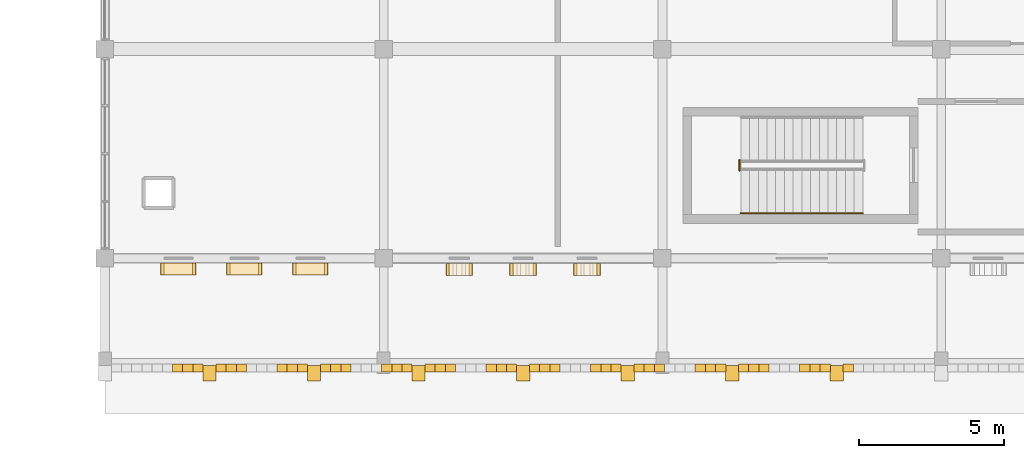
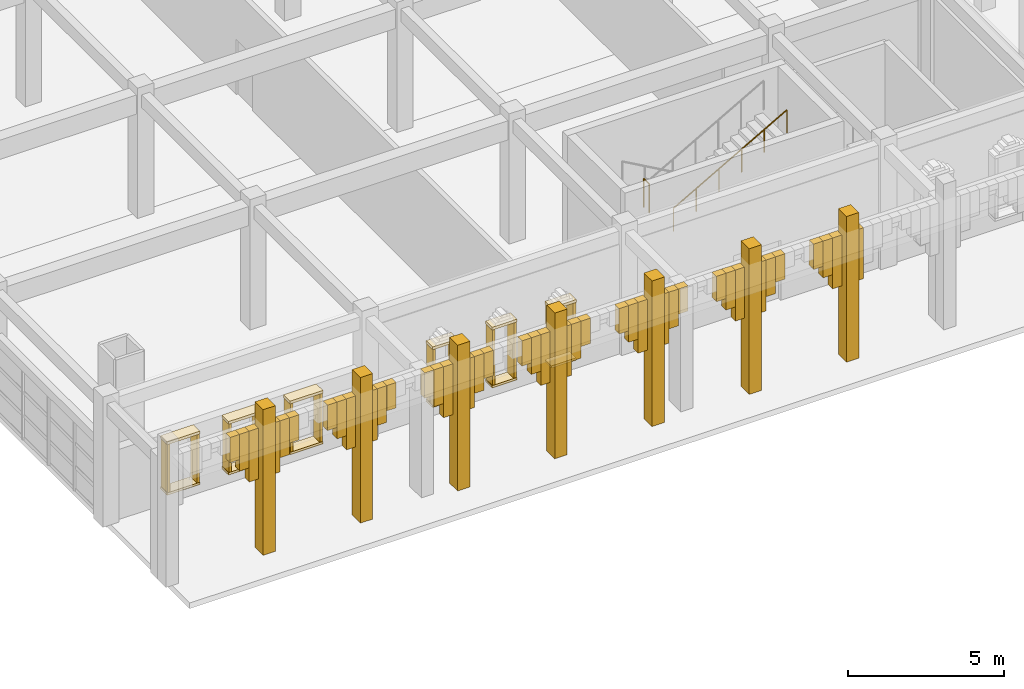
# One storey, part 58 of 72: 71 coverings, 2 railings.
"""IFC4 building model written with IfcOpenShell, lengths in metres."""

from ifc_helpers import new_model, si_unit, direction, frame, origin, origin_2d, place, context, subcontext, project, spatial, rectangle, circle, extrude, material, layer, layer_set, type_object, element, save


model = new_model("IFC4")

# Units and contexts
model_context = context("Model", 3, precision=1e-05, world=origin(), true_north=direction((0.0, 1.0)))
body_context = subcontext(model_context, "Body", "Model", "MODEL_VIEW")
ifc_project = project(units=[si_unit("LENGTHUNIT", "METRE"), si_unit("AREAUNIT", "SQUARE_METRE"), si_unit("VOLUMEUNIT", "CUBIC_METRE"), si_unit("PLANEANGLEUNIT", "RADIAN"), si_unit("MASSUNIT", "GRAM", prefix="KILO")], contexts=[model_context])

# Site, building, storey
site_placement = place(None, origin())
site = spatial("IfcSite", under=ifc_project, at=site_placement, CompositionType="ELEMENT")
building_placement = place(site_placement, origin())
building = spatial("IfcBuilding", under=site, at=building_placement, Name="Nzembalo Square Collegiate School", CompositionType="ELEMENT")
storey_placement = place(building_placement, origin())
storey = spatial("IfcBuildingStorey", under=building, at=storey_placement, Name="L00", CompositionType="ELEMENT", Elevation=0.0)

# Coverings
ifc_material_1 = material(Name="Precast concrete C40/50 arch voussoir", Category="concrete")
ifc_layer_1 = layer(ifc_material_1, 0.1201171875, Name="Precast concrete C40/50 arch voussoir")
ifc_layer_set_1 = layer_set([ifc_layer_1], Name="Precast concrete C40/50 arch voussoir")
covering_type_1 = type_object("IfcCoveringType", Name="AR01", PredefinedType="CLADDING", material=ifc_layer_set_1)
covering_1_placement = place(storey_placement, frame((133.30224609375, 4.6201171875, 3.810546875), z_axis=(0.0, 0.0, 1.0), x_axis=(1.0, 0.0, 0.0)))
element("IfcCovering", 1, at=covering_1_placement, inside=storey, type_object=covering_type_1, Name="Gothic pointed arch voussoir AR01-067-6", PredefinedType="CLADDING", context=body_context, shape_type="SweptSolid", body=[
    extrude(rectangle(XDim=0.35107421875, YDim=0.280029296875, at=origin_2d()), origin(), (0.0, 0.0, 1.0), 0.989501953125),
])
covering_2_placement = place(storey_placement, frame((133.6533203125, 4.6201171875, 3.361328125), z_axis=(0.0, 0.0, 1.0), x_axis=(1.0, 0.0, 0.0)))
element("IfcCovering", 2, at=covering_2_placement, inside=storey, type_object=covering_type_1, Name="Gothic pointed arch voussoir AR01-067-7", PredefinedType="CLADDING", context=body_context, shape_type="SweptSolid", body=[
    extrude(rectangle(XDim=0.35107421875, YDim=0.280029296875, at=origin_2d()), origin(), (0.0, 0.0, 1.0), 1.438720703125),
])
covering_3_placement = place(storey_placement, frame((134.00439453125, 4.6201171875, 2.80859375), z_axis=(0.0, 0.0, 1.0), x_axis=(1.0, 0.0, 0.0)))
element("IfcCovering", 3, at=covering_3_placement, inside=storey, type_object=covering_type_1, Name="Gothic pointed arch voussoir AR01-067-8", PredefinedType="CLADDING", context=body_context, shape_type="SweptSolid", body=[
    extrude(rectangle(XDim=0.35107421875, YDim=0.280029296875, at=origin_2d()), origin(), (0.0, 0.0, 1.0), 1.991455078125),
])
covering_4_placement = place(storey_placement, frame((134.795654296875, 4.6201171875, 2.808349609375), z_axis=(0.0, 0.0, 1.0), x_axis=(1.0, 0.0, 0.0)))
element("IfcCovering", 4, at=covering_4_placement, inside=storey, type_object=covering_type_1, Name="Gothic pointed arch voussoir AR01-068-0", PredefinedType="CLADDING", context=body_context, shape_type="SweptSolid", body=[
    extrude(rectangle(XDim=0.35107421875, YDim=0.280029296875, at=origin_2d()), origin(), (0.0, 0.0, 1.0), 1.99169921875),
])
covering_5_placement = place(storey_placement, frame((135.146728515625, 4.6201171875, 3.361083984375), z_axis=(0.0, 0.0, 1.0), x_axis=(1.0, 0.0, 0.0)))
element("IfcCovering", 5, at=covering_5_placement, inside=storey, type_object=covering_type_1, Name="Gothic pointed arch voussoir AR01-068-1", PredefinedType="CLADDING", context=body_context, shape_type="SweptSolid", body=[
    extrude(rectangle(XDim=0.35107421875, YDim=0.280029296875, at=origin_2d()), origin(), (0.0, 0.0, 1.0), 1.43896484375),
])
for number, where, z_axis, x_axis, name in (
    (6, (135.497802734375, 4.6201171875, 3.810546875), (0.0, 0.0, 1.0), (1.0, 0.0, 0.0), "Gothic pointed arch voussoir AR01-068-2"),
    (7, (136.902099609375, 4.6201171875, 3.810546875), (0.0, 0.0, 1.0), (1.0, 0.0, 0.0), "Gothic pointed arch voussoir AR01-068-6"),
):
    element("IfcCovering", number, at=place(storey_placement, frame(where, z_axis=z_axis, x_axis=x_axis)), inside=storey, type_object=covering_type_1, Name=name, PredefinedType="CLADDING", context=body_context, shape_type="SweptSolid", body=[
        extrude(rectangle(XDim=0.35107421875, YDim=0.280029296875, at=origin_2d()), origin(), (0.0, 0.0, 1.0), 0.989501953125),
    ])
covering_6_placement = place(storey_placement, frame((137.25341796875, 4.6201171875, 3.361328125), z_axis=(0.0, 0.0, 1.0), x_axis=(1.0, 0.0, 0.0)))
element("IfcCovering", 8, at=covering_6_placement, inside=storey, type_object=covering_type_1, Name="Gothic pointed arch voussoir AR01-068-7", PredefinedType="CLADDING", context=body_context, shape_type="SweptSolid", body=[
    extrude(rectangle(XDim=0.35107421875, YDim=0.280029296875, at=origin_2d()), origin(), (0.0, 0.0, 1.0), 1.438720703125),
])
covering_7_placement = place(storey_placement, frame((137.6044921875, 4.6201171875, 2.80859375), z_axis=(0.0, 0.0, 1.0), x_axis=(1.0, 0.0, 0.0)))
element("IfcCovering", 9, at=covering_7_placement, inside=storey, type_object=covering_type_1, Name="Gothic pointed arch voussoir AR01-068-8", PredefinedType="CLADDING", context=body_context, shape_type="SweptSolid", body=[
    extrude(rectangle(XDim=0.35107421875, YDim=0.280029296875, at=origin_2d()), origin(), (0.0, 0.0, 1.0), 1.991455078125),
])
covering_8_placement = place(storey_placement, frame((134.39990234375, 4.43994140625, 0.0), z_axis=(0.0, 0.0, 1.0), x_axis=(1.0, 0.0, 0.0)))
element("IfcCovering", 10, at=covering_8_placement, inside=storey, type_object=covering_type_1, Name="Gothic arcade buttress pinnacle AR01-B068", PredefinedType="CLADDING", context=body_context, shape_type="SweptSolid", body=[
    extrude(rectangle(XDim=0.4599609375, YDim=0.52001953125, at=origin_2d()), origin(), (0.0, 0.0, 1.0), 5.699951171875),
])
covering_9_placement = place(storey_placement, frame((138.3955078125, 4.6201171875, 2.808349609375), z_axis=(0.0, 0.0, 1.0), x_axis=(1.0, 0.0, 0.0)))
element("IfcCovering", 11, at=covering_9_placement, inside=storey, type_object=covering_type_1, Name="Gothic pointed arch voussoir AR01-069-0", PredefinedType="CLADDING", context=body_context, shape_type="SweptSolid", body=[
    extrude(rectangle(XDim=0.35107421875, YDim=0.280029296875, at=origin_2d()), origin(), (0.0, 0.0, 1.0), 1.99169921875),
])
covering_10_placement = place(storey_placement, frame((138.74658203125, 4.6201171875, 3.361083984375), z_axis=(0.0, 0.0, 1.0), x_axis=(1.0, 0.0, 0.0)))
element("IfcCovering", 12, at=covering_10_placement, inside=storey, type_object=covering_type_1, Name="Gothic pointed arch voussoir AR01-069-1", PredefinedType="CLADDING", context=body_context, shape_type="SweptSolid", body=[
    extrude(rectangle(XDim=0.35107421875, YDim=0.280029296875, at=origin_2d()), origin(), (0.0, 0.0, 1.0), 1.43896484375),
])
for number, where, z_axis, x_axis, name in (
    (13, (139.097900390625, 4.6201171875, 3.810546875), (0.0, 0.0, 1.0), (1.0, 0.0, 0.0), "Gothic pointed arch voussoir AR01-069-2"),
    (14, (140.502197265625, 4.6201171875, 3.810546875), (0.0, 0.0, 1.0), (1.0, 0.0, 0.0), "Gothic pointed arch voussoir AR01-069-6"),
):
    element("IfcCovering", number, at=place(storey_placement, frame(where, z_axis=z_axis, x_axis=x_axis)), inside=storey, type_object=covering_type_1, Name=name, PredefinedType="CLADDING", context=body_context, shape_type="SweptSolid", body=[
        extrude(rectangle(XDim=0.35107421875, YDim=0.280029296875, at=origin_2d()), origin(), (0.0, 0.0, 1.0), 0.989501953125),
    ])
covering_11_placement = place(storey_placement, frame((140.853271484375, 4.6201171875, 3.361328125), z_axis=(0.0, 0.0, 1.0), x_axis=(1.0, 0.0, 0.0)))
element("IfcCovering", 15, at=covering_11_placement, inside=storey, type_object=covering_type_1, Name="Gothic pointed arch voussoir AR01-069-7", PredefinedType="CLADDING", context=body_context, shape_type="SweptSolid", body=[
    extrude(rectangle(XDim=0.35107421875, YDim=0.280029296875, at=origin_2d()), origin(), (0.0, 0.0, 1.0), 1.438720703125),
])
covering_12_placement = place(storey_placement, frame((141.204345703125, 4.6201171875, 2.80859375), z_axis=(0.0, 0.0, 1.0), x_axis=(1.0, 0.0, 0.0)))
element("IfcCovering", 16, at=covering_12_placement, inside=storey, type_object=covering_type_1, Name="Gothic pointed arch voussoir AR01-069-8", PredefinedType="CLADDING", context=body_context, shape_type="SweptSolid", body=[
    extrude(rectangle(XDim=0.35107421875, YDim=0.280029296875, at=origin_2d()), origin(), (0.0, 0.0, 1.0), 1.991455078125),
])
covering_13_placement = place(storey_placement, frame((138.0, 4.43994140625, 0.0), z_axis=(0.0, 0.0, 1.0), x_axis=(1.0, 0.0, 0.0)))
element("IfcCovering", 17, at=covering_13_placement, inside=storey, type_object=covering_type_1, Name="Gothic arcade buttress pinnacle AR01-B069", PredefinedType="CLADDING", context=body_context, shape_type="SweptSolid", body=[
    extrude(rectangle(XDim=0.4599609375, YDim=0.52001953125, at=origin_2d()), origin(), (0.0, 0.0, 1.0), 5.699951171875),
])
covering_14_placement = place(storey_placement, frame((141.99560546875, 4.6201171875, 2.808349609375), z_axis=(0.0, 0.0, 1.0), x_axis=(1.0, 0.0, 0.0)))
element("IfcCovering", 18, at=covering_14_placement, inside=storey, type_object=covering_type_1, Name="Gothic pointed arch voussoir AR01-070-0", PredefinedType="CLADDING", context=body_context, shape_type="SweptSolid", body=[
    extrude(rectangle(XDim=0.35107421875, YDim=0.280029296875, at=origin_2d()), origin(), (0.0, 0.0, 1.0), 1.99169921875),
])
covering_15_placement = place(storey_placement, frame((142.3466796875, 4.6201171875, 3.361083984375), z_axis=(0.0, 0.0, 1.0), x_axis=(1.0, 0.0, 0.0)))
element("IfcCovering", 19, at=covering_15_placement, inside=storey, type_object=covering_type_1, Name="Gothic pointed arch voussoir AR01-070-1", PredefinedType="CLADDING", context=body_context, shape_type="SweptSolid", body=[
    extrude(rectangle(XDim=0.35107421875, YDim=0.280029296875, at=origin_2d()), origin(), (0.0, 0.0, 1.0), 1.43896484375),
])
for number, where, z_axis, x_axis, name in (
    (20, (142.69775390625, 4.6201171875, 3.810546875), (0.0, 0.0, 1.0), (1.0, 0.0, 0.0), "Gothic pointed arch voussoir AR01-070-2"),
    (21, (144.10205078125, 4.6201171875, 3.810546875), (0.0, 0.0, 1.0), (1.0, 0.0, 0.0), "Gothic pointed arch voussoir AR01-070-6"),
):
    element("IfcCovering", number, at=place(storey_placement, frame(where, z_axis=z_axis, x_axis=x_axis)), inside=storey, type_object=covering_type_1, Name=name, PredefinedType="CLADDING", context=body_context, shape_type="SweptSolid", body=[
        extrude(rectangle(XDim=0.35107421875, YDim=0.280029296875, at=origin_2d()), origin(), (0.0, 0.0, 1.0), 0.989501953125),
    ])
covering_16_placement = place(storey_placement, frame((144.453125, 4.6201171875, 3.361328125), z_axis=(0.0, 0.0, 1.0), x_axis=(1.0, 0.0, 0.0)))
element("IfcCovering", 22, at=covering_16_placement, inside=storey, type_object=covering_type_1, Name="Gothic pointed arch voussoir AR01-070-7", PredefinedType="CLADDING", context=body_context, shape_type="SweptSolid", body=[
    extrude(rectangle(XDim=0.35107421875, YDim=0.280029296875, at=origin_2d()), origin(), (0.0, 0.0, 1.0), 1.438720703125),
])
covering_17_placement = place(storey_placement, frame((144.80419921875, 4.6201171875, 2.80859375), z_axis=(0.0, 0.0, 1.0), x_axis=(1.0, 0.0, 0.0)))
element("IfcCovering", 23, at=covering_17_placement, inside=storey, type_object=covering_type_1, Name="Gothic pointed arch voussoir AR01-070-8", PredefinedType="CLADDING", context=body_context, shape_type="SweptSolid", body=[
    extrude(rectangle(XDim=0.35107421875, YDim=0.280029296875, at=origin_2d()), origin(), (0.0, 0.0, 1.0), 1.991455078125),
])
covering_18_placement = place(storey_placement, frame((141.60009765625, 4.43994140625, 0.0), z_axis=(0.0, 0.0, 1.0), x_axis=(1.0, 0.0, 0.0)))
element("IfcCovering", 24, at=covering_18_placement, inside=storey, type_object=covering_type_1, Name="Gothic arcade buttress pinnacle AR01-B070", PredefinedType="CLADDING", context=body_context, shape_type="SweptSolid", body=[
    extrude(rectangle(XDim=0.4599609375, YDim=0.52001953125, at=origin_2d()), origin(), (0.0, 0.0, 1.0), 5.699951171875),
])
covering_19_placement = place(storey_placement, frame((145.595703125, 4.6201171875, 2.808349609375), z_axis=(0.0, 0.0, 1.0), x_axis=(1.0, 0.0, 0.0)))
element("IfcCovering", 25, at=covering_19_placement, inside=storey, type_object=covering_type_1, Name="Gothic pointed arch voussoir AR01-071-0", PredefinedType="CLADDING", context=body_context, shape_type="SweptSolid", body=[
    extrude(rectangle(XDim=0.35107421875, YDim=0.280029296875, at=origin_2d()), origin(), (0.0, 0.0, 1.0), 1.99169921875),
])
covering_20_placement = place(storey_placement, frame((145.94677734375, 4.6201171875, 3.361083984375), z_axis=(0.0, 0.0, 1.0), x_axis=(1.0, 0.0, 0.0)))
element("IfcCovering", 26, at=covering_20_placement, inside=storey, type_object=covering_type_1, Name="Gothic pointed arch voussoir AR01-071-1", PredefinedType="CLADDING", context=body_context, shape_type="SweptSolid", body=[
    extrude(rectangle(XDim=0.35107421875, YDim=0.280029296875, at=origin_2d()), origin(), (0.0, 0.0, 1.0), 1.43896484375),
])
for number, where, z_axis, x_axis, name in (
    (27, (146.2978515625, 4.6201171875, 3.810546875), (0.0, 0.0, 1.0), (1.0, 0.0, 0.0), "Gothic pointed arch voussoir AR01-071-2"),
    (28, (147.7021484375, 4.6201171875, 3.810546875), (0.0, 0.0, 1.0), (1.0, 0.0, 0.0), "Gothic pointed arch voussoir AR01-071-6"),
):
    element("IfcCovering", number, at=place(storey_placement, frame(where, z_axis=z_axis, x_axis=x_axis)), inside=storey, type_object=covering_type_1, Name=name, PredefinedType="CLADDING", context=body_context, shape_type="SweptSolid", body=[
        extrude(rectangle(XDim=0.35107421875, YDim=0.280029296875, at=origin_2d()), origin(), (0.0, 0.0, 1.0), 0.989501953125),
    ])
covering_21_placement = place(storey_placement, frame((148.05322265625, 4.6201171875, 3.361328125), z_axis=(0.0, 0.0, 1.0), x_axis=(1.0, 0.0, 0.0)))
element("IfcCovering", 29, at=covering_21_placement, inside=storey, type_object=covering_type_1, Name="Gothic pointed arch voussoir AR01-071-7", PredefinedType="CLADDING", context=body_context, shape_type="SweptSolid", body=[
    extrude(rectangle(XDim=0.35107421875, YDim=0.280029296875, at=origin_2d()), origin(), (0.0, 0.0, 1.0), 1.438720703125),
])
covering_22_placement = place(storey_placement, frame((148.404296875, 4.6201171875, 2.80859375), z_axis=(0.0, 0.0, 1.0), x_axis=(1.0, 0.0, 0.0)))
element("IfcCovering", 30, at=covering_22_placement, inside=storey, type_object=covering_type_1, Name="Gothic pointed arch voussoir AR01-071-8", PredefinedType="CLADDING", context=body_context, shape_type="SweptSolid", body=[
    extrude(rectangle(XDim=0.35107421875, YDim=0.280029296875, at=origin_2d()), origin(), (0.0, 0.0, 1.0), 1.991455078125),
])
covering_23_placement = place(storey_placement, frame((145.199951171875, 4.43994140625, 0.0), z_axis=(0.0, 0.0, 1.0), x_axis=(1.0, 0.0, 0.0)))
element("IfcCovering", 31, at=covering_23_placement, inside=storey, type_object=covering_type_1, Name="Gothic arcade buttress pinnacle AR01-B071", PredefinedType="CLADDING", context=body_context, shape_type="SweptSolid", body=[
    extrude(rectangle(XDim=0.4599609375, YDim=0.52001953125, at=origin_2d()), origin(), (0.0, 0.0, 1.0), 5.699951171875),
])
covering_24_placement = place(storey_placement, frame((149.195556640625, 4.6201171875, 2.808349609375), z_axis=(0.0, 0.0, 1.0), x_axis=(1.0, 0.0, 0.0)))
element("IfcCovering", 32, at=covering_24_placement, inside=storey, type_object=covering_type_1, Name="Gothic pointed arch voussoir AR01-072-0", PredefinedType="CLADDING", context=body_context, shape_type="SweptSolid", body=[
    extrude(rectangle(XDim=0.35107421875, YDim=0.280029296875, at=origin_2d()), origin(), (0.0, 0.0, 1.0), 1.99169921875),
])
covering_25_placement = place(storey_placement, frame((149.546630859375, 4.6201171875, 3.361083984375), z_axis=(0.0, 0.0, 1.0), x_axis=(1.0, 0.0, 0.0)))
element("IfcCovering", 33, at=covering_25_placement, inside=storey, type_object=covering_type_1, Name="Gothic pointed arch voussoir AR01-072-1", PredefinedType="CLADDING", context=body_context, shape_type="SweptSolid", body=[
    extrude(rectangle(XDim=0.35107421875, YDim=0.280029296875, at=origin_2d()), origin(), (0.0, 0.0, 1.0), 1.43896484375),
])
for number, where, z_axis, x_axis, name in (
    (34, (149.897705078125, 4.6201171875, 3.810546875), (0.0, 0.0, 1.0), (1.0, 0.0, 0.0), "Gothic pointed arch voussoir AR01-072-2"),
    (35, (151.302001953125, 4.6201171875, 3.810546875), (0.0, 0.0, 1.0), (1.0, 0.0, 0.0), "Gothic pointed arch voussoir AR01-072-6"),
):
    element("IfcCovering", number, at=place(storey_placement, frame(where, z_axis=z_axis, x_axis=x_axis)), inside=storey, type_object=covering_type_1, Name=name, PredefinedType="CLADDING", context=body_context, shape_type="SweptSolid", body=[
        extrude(rectangle(XDim=0.35107421875, YDim=0.280029296875, at=origin_2d()), origin(), (0.0, 0.0, 1.0), 0.989501953125),
    ])
covering_26_placement = place(storey_placement, frame((151.6533203125, 4.6201171875, 3.361328125), z_axis=(0.0, 0.0, 1.0), x_axis=(1.0, 0.0, 0.0)))
element("IfcCovering", 36, at=covering_26_placement, inside=storey, type_object=covering_type_1, Name="Gothic pointed arch voussoir AR01-072-7", PredefinedType="CLADDING", context=body_context, shape_type="SweptSolid", body=[
    extrude(rectangle(XDim=0.35107421875, YDim=0.280029296875, at=origin_2d()), origin(), (0.0, 0.0, 1.0), 1.438720703125),
])
covering_27_placement = place(storey_placement, frame((152.00439453125, 4.6201171875, 2.80859375), z_axis=(0.0, 0.0, 1.0), x_axis=(1.0, 0.0, 0.0)))
element("IfcCovering", 37, at=covering_27_placement, inside=storey, type_object=covering_type_1, Name="Gothic pointed arch voussoir AR01-072-8", PredefinedType="CLADDING", context=body_context, shape_type="SweptSolid", body=[
    extrude(rectangle(XDim=0.35107421875, YDim=0.280029296875, at=origin_2d()), origin(), (0.0, 0.0, 1.0), 1.991455078125),
])
covering_28_placement = place(storey_placement, frame((148.800048828125, 4.43994140625, 0.0), z_axis=(0.0, 0.0, 1.0), x_axis=(1.0, 0.0, 0.0)))
element("IfcCovering", 38, at=covering_28_placement, inside=storey, type_object=covering_type_1, Name="Gothic arcade buttress pinnacle AR01-B072", PredefinedType="CLADDING", context=body_context, shape_type="SweptSolid", body=[
    extrude(rectangle(XDim=0.4599609375, YDim=0.52001953125, at=origin_2d()), origin(), (0.0, 0.0, 1.0), 5.699951171875),
])
covering_29_placement = place(storey_placement, frame((152.79541015625, 4.6201171875, 2.808349609375), z_axis=(0.0, 0.0, 1.0), x_axis=(1.0, 0.0, 0.0)))
element("IfcCovering", 39, at=covering_29_placement, inside=storey, type_object=covering_type_1, Name="Gothic pointed arch voussoir AR01-073-0", PredefinedType="CLADDING", context=body_context, shape_type="SweptSolid", body=[
    extrude(rectangle(XDim=0.35107421875, YDim=0.280029296875, at=origin_2d()), origin(), (0.0, 0.0, 1.0), 1.99169921875),
])
covering_30_placement = place(storey_placement, frame((153.146484375, 4.6201171875, 3.361083984375), z_axis=(0.0, 0.0, 1.0), x_axis=(1.0, 0.0, 0.0)))
element("IfcCovering", 40, at=covering_30_placement, inside=storey, type_object=covering_type_1, Name="Gothic pointed arch voussoir AR01-073-1", PredefinedType="CLADDING", context=body_context, shape_type="SweptSolid", body=[
    extrude(rectangle(XDim=0.35107421875, YDim=0.280029296875, at=origin_2d()), origin(), (0.0, 0.0, 1.0), 1.43896484375),
])
for number, where, z_axis, x_axis, name in (
    (41, (153.497802734375, 4.6201171875, 3.810546875), (0.0, 0.0, 1.0), (1.0, 0.0, 0.0), "Gothic pointed arch voussoir AR01-073-2"),
    (42, (154.902099609375, 4.6201171875, 3.810546875), (0.0, 0.0, 1.0), (1.0, 0.0, 0.0), "Gothic pointed arch voussoir AR01-073-6"),
):
    element("IfcCovering", number, at=place(storey_placement, frame(where, z_axis=z_axis, x_axis=x_axis)), inside=storey, type_object=covering_type_1, Name=name, PredefinedType="CLADDING", context=body_context, shape_type="SweptSolid", body=[
        extrude(rectangle(XDim=0.35107421875, YDim=0.280029296875, at=origin_2d()), origin(), (0.0, 0.0, 1.0), 0.989501953125),
    ])
covering_31_placement = place(storey_placement, frame((155.253173828125, 4.6201171875, 3.361328125), z_axis=(0.0, 0.0, 1.0), x_axis=(1.0, 0.0, 0.0)))
element("IfcCovering", 43, at=covering_31_placement, inside=storey, type_object=covering_type_1, Name="Gothic pointed arch voussoir AR01-073-7", PredefinedType="CLADDING", context=body_context, shape_type="SweptSolid", body=[
    extrude(rectangle(XDim=0.35107421875, YDim=0.280029296875, at=origin_2d()), origin(), (0.0, 0.0, 1.0), 1.438720703125),
])
covering_32_placement = place(storey_placement, frame((155.604248046875, 4.6201171875, 2.80859375), z_axis=(0.0, 0.0, 1.0), x_axis=(1.0, 0.0, 0.0)))
element("IfcCovering", 44, at=covering_32_placement, inside=storey, type_object=covering_type_1, Name="Gothic pointed arch voussoir AR01-073-8", PredefinedType="CLADDING", context=body_context, shape_type="SweptSolid", body=[
    extrude(rectangle(XDim=0.35107421875, YDim=0.280029296875, at=origin_2d()), origin(), (0.0, 0.0, 1.0), 1.991455078125),
])
covering_33_placement = place(storey_placement, frame((152.39990234375, 4.43994140625, 0.0), z_axis=(0.0, 0.0, 1.0), x_axis=(1.0, 0.0, 0.0)))
element("IfcCovering", 45, at=covering_33_placement, inside=storey, type_object=covering_type_1, Name="Gothic arcade buttress pinnacle AR01-B073", PredefinedType="CLADDING", context=body_context, shape_type="SweptSolid", body=[
    extrude(rectangle(XDim=0.4599609375, YDim=0.52001953125, at=origin_2d()), origin(), (0.0, 0.0, 1.0), 5.699951171875),
])
covering_34_placement = place(storey_placement, frame((156.3955078125, 4.6201171875, 2.808349609375), z_axis=(0.0, 0.0, 1.0), x_axis=(1.0, 0.0, 0.0)))
element("IfcCovering", 46, at=covering_34_placement, inside=storey, type_object=covering_type_1, Name="Gothic pointed arch voussoir AR01-074-0", PredefinedType="CLADDING", context=body_context, shape_type="SweptSolid", body=[
    extrude(rectangle(XDim=0.35107421875, YDim=0.280029296875, at=origin_2d()), origin(), (0.0, 0.0, 1.0), 1.99169921875),
])
covering_35_placement = place(storey_placement, frame((156.0, 4.43994140625, 0.0), z_axis=(0.0, 0.0, 1.0), x_axis=(1.0, 0.0, 0.0)))
element("IfcCovering", 47, at=covering_35_placement, inside=storey, type_object=covering_type_1, Name="Gothic arcade buttress pinnacle AR01-B074", PredefinedType="CLADDING", context=body_context, shape_type="SweptSolid", body=[
    extrude(rectangle(XDim=0.4599609375, YDim=0.52001953125, at=origin_2d()), origin(), (0.0, 0.0, 1.0), 5.699951171875),
])
ifc_material_2 = material(Name="Glazed celadon ceramic window frame")
ifc_layer_2 = layer(ifc_material_2, 0.419921875, Name="Glazed celadon ceramic window frame")
ifc_layer_set_2 = layer_set([ifc_layer_2], Name="Glazed celadon ceramic window frame")
covering_type_2 = type_object("IfcCoveringType", Name="WF01", PredefinedType="CLADDING", material=ifc_layer_set_2)
covering_36_placement = place(storey_placement, frame((133.325927734375, 8.02490234375, 2.634765625), z_axis=(0.0, 0.0, 1.0), x_axis=(1.0, 0.0, 0.0)))
element("IfcCovering", 48, at=covering_36_placement, inside=storey, type_object=covering_type_2, Name="Deep lancet window hood WF01-0041", PredefinedType="CLADDING", context=body_context, shape_type="SweptSolid", body=[
    extrude(rectangle(XDim=1.219970703125, YDim=0.419921875, at=origin_2d()), origin(), (0.0, 0.0, 1.0), 0.110107421875),
])
covering_37_placement = place(storey_placement, frame((133.325927734375, 8.02490234375, 0.65478515625), z_axis=(0.0, 0.0, 1.0), x_axis=(1.0, 0.0, 0.0)))
element("IfcCovering", 49, at=covering_37_placement, inside=storey, type_object=covering_type_2, Name="Deep lancet window sill WF01-0041", PredefinedType="CLADDING", context=body_context, shape_type="SweptSolid", body=[
    extrude(rectangle(XDim=1.219970703125, YDim=0.419921875, at=origin_2d()), origin(), (0.0, 0.0, 1.0), 0.090087890625),
])
for number, where, z_axis, x_axis, name in (
    (50, (132.781005859375, 8.02490234375, 0.75), (0.0, 0.0, 1.0), (1.0, 0.0, 0.0), "Deep lancet window jamb WF01-0041L"),
    (51, (133.87109375, 8.02490234375, 0.75), (0.0, 0.0, 1.0), (1.0, 0.0, 0.0), "Deep lancet window jamb WF01-0041R"),
):
    element("IfcCovering", number, at=place(storey_placement, frame(where, z_axis=z_axis, x_axis=x_axis)), inside=storey, type_object=covering_type_2, Name=name, PredefinedType="CLADDING", context=body_context, shape_type="SweptSolid", body=[
        extrude(rectangle(XDim=0.10009765625, YDim=0.419921875, at=origin_2d()), origin(), (0.0, 0.0, 1.0), 1.8798828125),
    ])
covering_38_placement = place(storey_placement, frame((135.60009765625, 8.02490234375, 2.634765625), z_axis=(0.0, 0.0, 1.0), x_axis=(1.0, 0.0, 0.0)))
element("IfcCovering", 52, at=covering_38_placement, inside=storey, type_object=covering_type_2, Name="Deep lancet window hood WF01-0042", PredefinedType="CLADDING", context=body_context, shape_type="SweptSolid", body=[
    extrude(rectangle(XDim=1.219970703125, YDim=0.419921875, at=origin_2d()), origin(), (0.0, 0.0, 1.0), 0.110107421875),
])
covering_39_placement = place(storey_placement, frame((135.60009765625, 8.02490234375, 0.65478515625), z_axis=(0.0, 0.0, 1.0), x_axis=(1.0, 0.0, 0.0)))
element("IfcCovering", 53, at=covering_39_placement, inside=storey, type_object=covering_type_2, Name="Deep lancet window sill WF01-0042", PredefinedType="CLADDING", context=body_context, shape_type="SweptSolid", body=[
    extrude(rectangle(XDim=1.219970703125, YDim=0.419921875, at=origin_2d()), origin(), (0.0, 0.0, 1.0), 0.090087890625),
])
for number, where, z_axis, x_axis, name in (
    (54, (135.054931640625, 8.02490234375, 0.75), (0.0, 0.0, 1.0), (1.0, 0.0, 0.0), "Deep lancet window jamb WF01-0042L"),
    (55, (136.14501953125, 8.02490234375, 0.75), (0.0, 0.0, 1.0), (1.0, 0.0, 0.0), "Deep lancet window jamb WF01-0042R"),
):
    element("IfcCovering", number, at=place(storey_placement, frame(where, z_axis=z_axis, x_axis=x_axis)), inside=storey, type_object=covering_type_2, Name=name, PredefinedType="CLADDING", context=body_context, shape_type="SweptSolid", body=[
        extrude(rectangle(XDim=0.10009765625, YDim=0.419921875, at=origin_2d()), origin(), (0.0, 0.0, 1.0), 1.8798828125),
    ])
covering_40_placement = place(storey_placement, frame((137.8740234375, 8.02490234375, 2.634765625), z_axis=(0.0, 0.0, 1.0), x_axis=(1.0, 0.0, 0.0)))
element("IfcCovering", 56, at=covering_40_placement, inside=storey, type_object=covering_type_2, Name="Deep lancet window hood WF01-0043", PredefinedType="CLADDING", context=body_context, shape_type="SweptSolid", body=[
    extrude(rectangle(XDim=1.219970703125, YDim=0.419921875, at=origin_2d()), origin(), (0.0, 0.0, 1.0), 0.110107421875),
])
covering_41_placement = place(storey_placement, frame((137.8740234375, 8.02490234375, 0.65478515625), z_axis=(0.0, 0.0, 1.0), x_axis=(1.0, 0.0, 0.0)))
element("IfcCovering", 57, at=covering_41_placement, inside=storey, type_object=covering_type_2, Name="Deep lancet window sill WF01-0043", PredefinedType="CLADDING", context=body_context, shape_type="SweptSolid", body=[
    extrude(rectangle(XDim=1.219970703125, YDim=0.419921875, at=origin_2d()), origin(), (0.0, 0.0, 1.0), 0.090087890625),
])
for number, where, z_axis, x_axis, name in (
    (58, (137.3291015625, 8.02490234375, 0.75), (0.0, 0.0, 1.0), (1.0, 0.0, 0.0), "Deep lancet window jamb WF01-0043L"),
    (59, (138.4189453125, 8.02490234375, 0.75), (0.0, 0.0, 1.0), (1.0, 0.0, 0.0), "Deep lancet window jamb WF01-0043R"),
):
    element("IfcCovering", number, at=place(storey_placement, frame(where, z_axis=z_axis, x_axis=x_axis)), inside=storey, type_object=covering_type_2, Name=name, PredefinedType="CLADDING", context=body_context, shape_type="SweptSolid", body=[
        extrude(rectangle(XDim=0.10009765625, YDim=0.419921875, at=origin_2d()), origin(), (0.0, 0.0, 1.0), 1.8798828125),
    ])
covering_42_placement = place(storey_placement, frame((143.0009765625, 8.014892578125, 2.9150390625), z_axis=(0.0, 0.0, 1.0), x_axis=(1.0, 0.0, 0.0)))
element("IfcCovering", 60, at=covering_42_placement, inside=storey, type_object=covering_type_2, Name="Deep lancet window hood WF01-0058", PredefinedType="CLADDING", context=body_context, shape_type="SweptSolid", body=[
    extrude(rectangle(XDim=0.919921875, YDim=0.419921875, at=origin_2d()), origin(), (0.0, 0.0, 1.0), 0.110107421875),
])
covering_43_placement = place(storey_placement, frame((143.0009765625, 8.014892578125, 0.65478515625), z_axis=(0.0, 0.0, 1.0), x_axis=(1.0, 0.0, 0.0)))
element("IfcCovering", 61, at=covering_43_placement, inside=storey, type_object=covering_type_2, Name="Deep lancet window sill WF01-0058", PredefinedType="CLADDING", context=body_context, shape_type="SweptSolid", body=[
    extrude(rectangle(XDim=0.919921875, YDim=0.419921875, at=origin_2d()), origin(), (0.0, 0.0, 1.0), 0.090087890625),
])
for number, where, z_axis, x_axis, name in (
    (62, (142.60595703125, 8.014892578125, 0.75), (0.0, 0.0, 1.0), (1.0, 0.0, 0.0), "Deep lancet window jamb WF01-0058L"),
    (63, (143.39599609375, 8.014892578125, 0.75), (0.0, 0.0, 1.0), (1.0, 0.0, 0.0), "Deep lancet window jamb WF01-0058R"),
):
    element("IfcCovering", number, at=place(storey_placement, frame(where, z_axis=z_axis, x_axis=x_axis)), inside=storey, type_object=covering_type_2, Name=name, PredefinedType="CLADDING", context=body_context, shape_type="SweptSolid", body=[
        extrude(rectangle(XDim=0.10009765625, YDim=0.419921875, at=origin_2d()), origin(), (0.0, 0.0, 1.0), 2.159912109375),
    ])
covering_44_placement = place(storey_placement, frame((145.199951171875, 8.014892578125, 2.9150390625), z_axis=(0.0, 0.0, 1.0), x_axis=(1.0, 0.0, 0.0)))
element("IfcCovering", 64, at=covering_44_placement, inside=storey, type_object=covering_type_2, Name="Deep lancet window hood WF01-0059", PredefinedType="CLADDING", context=body_context, shape_type="SweptSolid", body=[
    extrude(rectangle(XDim=0.919921875, YDim=0.419921875, at=origin_2d()), origin(), (0.0, 0.0, 1.0), 0.110107421875),
])
covering_45_placement = place(storey_placement, frame((145.199951171875, 8.014892578125, 0.65478515625), z_axis=(0.0, 0.0, 1.0), x_axis=(1.0, 0.0, 0.0)))
element("IfcCovering", 65, at=covering_45_placement, inside=storey, type_object=covering_type_2, Name="Deep lancet window sill WF01-0059", PredefinedType="CLADDING", context=body_context, shape_type="SweptSolid", body=[
    extrude(rectangle(XDim=0.919921875, YDim=0.419921875, at=origin_2d()), origin(), (0.0, 0.0, 1.0), 0.090087890625),
])
for number, where, z_axis, x_axis, name in (
    (66, (144.804931640625, 8.014892578125, 0.75), (0.0, 0.0, 1.0), (1.0, 0.0, 0.0), "Deep lancet window jamb WF01-0059L"),
    (67, (145.594970703125, 8.014892578125, 0.75), (0.0, 0.0, 1.0), (1.0, 0.0, 0.0), "Deep lancet window jamb WF01-0059R"),
):
    element("IfcCovering", number, at=place(storey_placement, frame(where, z_axis=z_axis, x_axis=x_axis)), inside=storey, type_object=covering_type_2, Name=name, PredefinedType="CLADDING", context=body_context, shape_type="SweptSolid", body=[
        extrude(rectangle(XDim=0.10009765625, YDim=0.419921875, at=origin_2d()), origin(), (0.0, 0.0, 1.0), 2.159912109375),
    ])
covering_46_placement = place(storey_placement, frame((147.39892578125, 8.014892578125, 2.9150390625), z_axis=(0.0, 0.0, 1.0), x_axis=(1.0, 0.0, 0.0)))
element("IfcCovering", 68, at=covering_46_placement, inside=storey, type_object=covering_type_2, Name="Deep lancet window hood WF01-0060", PredefinedType="CLADDING", context=body_context, shape_type="SweptSolid", body=[
    extrude(rectangle(XDim=0.919921875, YDim=0.419921875, at=origin_2d()), origin(), (0.0, 0.0, 1.0), 0.110107421875),
])
covering_47_placement = place(storey_placement, frame((147.39892578125, 8.014892578125, 0.65478515625), z_axis=(0.0, 0.0, 1.0), x_axis=(1.0, 0.0, 0.0)))
element("IfcCovering", 69, at=covering_47_placement, inside=storey, type_object=covering_type_2, Name="Deep lancet window sill WF01-0060", PredefinedType="CLADDING", context=body_context, shape_type="SweptSolid", body=[
    extrude(rectangle(XDim=0.919921875, YDim=0.419921875, at=origin_2d()), origin(), (0.0, 0.0, 1.0), 0.090087890625),
])
for number, where, z_axis, x_axis, name in (
    (70, (147.00390625, 8.014892578125, 0.75), (0.0, 0.0, 1.0), (1.0, 0.0, 0.0), "Deep lancet window jamb WF01-0060L"),
    (71, (147.7939453125, 8.014892578125, 0.75), (0.0, 0.0, 1.0), (1.0, 0.0, 0.0), "Deep lancet window jamb WF01-0060R"),
):
    element("IfcCovering", number, at=place(storey_placement, frame(where, z_axis=z_axis, x_axis=x_axis)), inside=storey, type_object=covering_type_2, Name=name, PredefinedType="CLADDING", context=body_context, shape_type="SweptSolid", body=[
        extrude(rectangle(XDim=0.10009765625, YDim=0.419921875, at=origin_2d()), origin(), (0.0, 0.0, 1.0), 2.159912109375),
    ])

# Railings
ifc_material_3 = material(Name="Steel S355", Category="steel")
railing_type_1 = type_object("IfcRailingType", Name="GR01", PredefinedType="GUARDRAIL", material=ifc_material_3)
railing_1_placement = place(storey_placement, frame((152.64990234375, 11.419921875, 2.544921875)))
element("IfcRailing", 72, at=railing_1_placement, inside=storey, type_object=railing_type_1, Name="Stair guard GR-24-2", PredefinedType="GUARDRAIL", context=body_context, shape_type="SweptSolid", body=[
    extrude(circle(Radius=0.02392578125, at=origin_2d()), frame((0.0, 0.0, 1.1259765625), z_axis=(0.0, 1.0, 0.0), x_axis=(-1.0, 0.0, 0.0)), (0.0, 0.0, 1.0), 0.360107421875),
    extrude(circle(Radius=0.02099609375, at=origin_2d()), origin(), (0.0, 0.0, 1.0), 1.101806640625),
    extrude(circle(Radius=0.02099609375, at=origin_2d()), frame((0.0, 0.360107421875, 0.0)), (0.0, 0.0, 1.0), 1.101806640625),
])
ifc_material_4 = material(Name="Steel S355", Category="steel")
railing_type_2 = type_object("IfcRailingType", Name="HR01", PredefinedType="HANDRAIL", material=ifc_material_4)
railing_2_placement = place(storey_placement, frame((152.699951171875, 9.949951171875, 2.7099609375)))
element("IfcRailing", 73, at=railing_2_placement, inside=storey, type_object=railing_type_2, Name="Stair handrail HR-24-2", PredefinedType="HANDRAIL", context=body_context, shape_type="SweptSolid", body=[
    extrude(circle(Radius=0.02392578125, at=origin_2d()), frame((0.0, 0.0, 0.89599609375), z_axis=(0.870008446991, 0.0, 0.493036816236), x_axis=(0.0, 1.0, 0.0)), (0.0, 0.0, 1.0), 4.827392578125),
    extrude(circle(Radius=0.02099609375, at=origin_2d()), origin(), (0.0, 0.0, 1.0), 0.871826171875),
    extrude(circle(Radius=0.02099609375, at=origin_2d()), frame((0.840087890625, 0.0, 0.47607421875)), (0.0, 0.0, 1.0), 0.871826171875),
    extrude(circle(Radius=0.02099609375, at=origin_2d()), frame((1.679931640625, 0.0, 0.9521484375)), (0.0, 0.0, 1.0), 0.871826171875),
    extrude(circle(Radius=0.02099609375, at=origin_2d()), frame((2.52001953125, 0.0, 1.427978515625)), (0.0, 0.0, 1.0), 0.871826171875),
    extrude(circle(Radius=0.02099609375, at=origin_2d()), frame((3.35986328125, 0.0, 1.904052734375)), (0.0, 0.0, 1.0), 0.871826171875),
    extrude(circle(Radius=0.02099609375, at=origin_2d()), frame((4.199951171875, 0.0, 2.380126953125)), (0.0, 0.0, 1.0), 0.871826171875),
])

save(model, "model.ifc")
